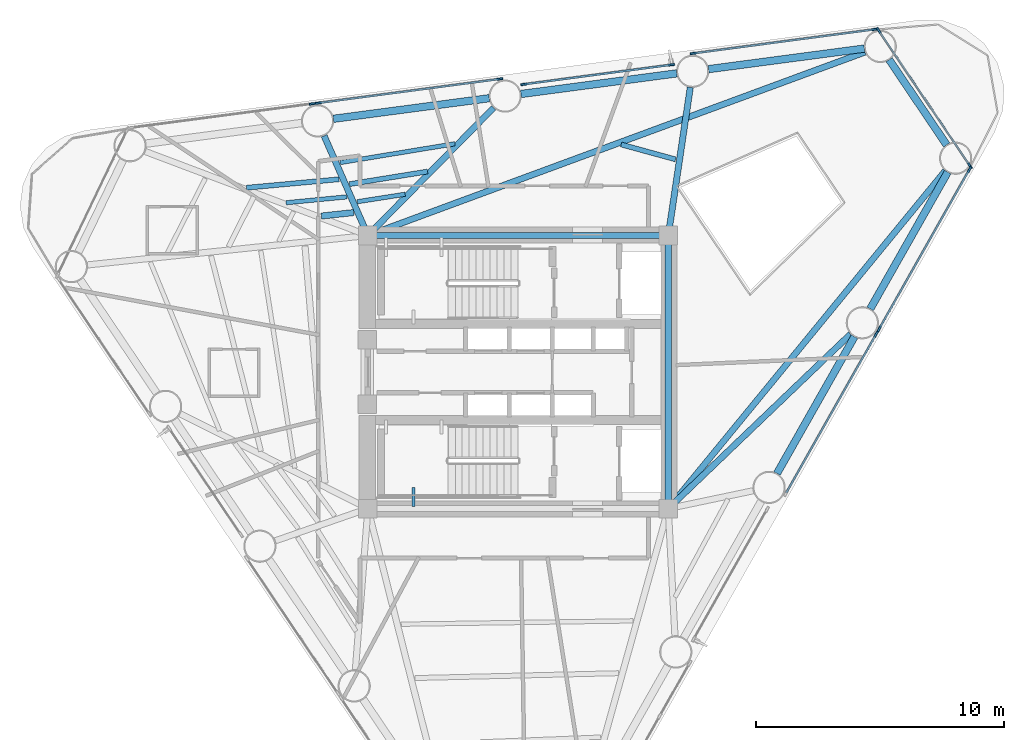
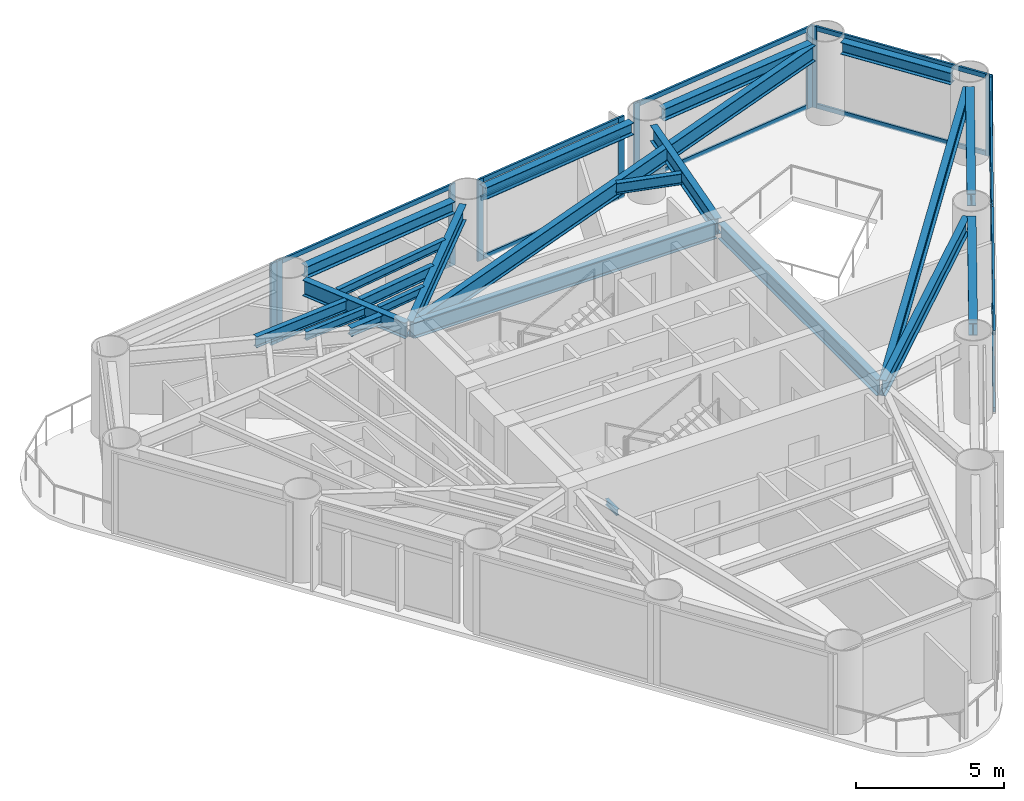
# One storey, part 3 of 9: 25 members, 22 beams, 7 elements without a shape of their own.
"""IFC4 building model written with IfcOpenShell, lengths in metres."""

from ifc_helpers import new_model, si_unit, direction, frame, origin, origin_2d, place, context, subcontext, project, spatial, rectangle, i_section, extrude, source, transform, mapped, material, layer, layer_set, material_profile, profile_set, type_object, element, aggregate, save


model = new_model("IFC4")

# Units and contexts
model_context = context("Model", 3, precision=1e-05, world=origin(), true_north=direction((0.0, 1.0)))
body_context = subcontext(model_context, "Body", "Model", "MODEL_VIEW")
ifc_project = project(units=[si_unit("LENGTHUNIT", "METRE"), si_unit("AREAUNIT", "SQUARE_METRE"), si_unit("VOLUMEUNIT", "CUBIC_METRE"), si_unit("PLANEANGLEUNIT", "RADIAN"), si_unit("MASSUNIT", "GRAM", prefix="KILO")], contexts=[model_context])

# Site, building, storey
site_placement = place(None, origin())
site = spatial("IfcSite", under=ifc_project, at=site_placement, CompositionType="ELEMENT")
building_placement = place(site_placement, origin())
building = spatial("IfcBuilding", under=site, at=building_placement, Name="Yunling Apex Tower", CompositionType="ELEMENT")
storey_placement = place(building_placement, frame((0.0, 0.0, 162.199951171875)))
storey = spatial("IfcBuildingStorey", under=building, at=storey_placement, Name="L39", CompositionType="ELEMENT", Elevation=162.199951171875)

# Beams
ifc_material_1 = material(Name="Steel Q355B", Category="steel")
ifc_material_profile_1 = material_profile(ifc_material_1, i_section(OverallWidth=0.125, OverallDepth=0.25, WebThickness=0.006103515625, FlangeThickness=0.009033203125, FilletRadius=0.011962890625, at=origin_2d()))
ifc_profile_set_1 = profile_set([ifc_material_profile_1], Name="Steel Q355B")
beam_type_1 = type_object("IfcBeamType", Name="BL-LNT-1", PredefinedType="LINTEL", material=ifc_profile_set_1)
shared_shape_1 = source(origin(), body_context, "Body", "SweptSolid", [
    extrude(i_section(OverallWidth=0.125, OverallDepth=0.25, WebThickness=0.006103515625, FlangeThickness=0.009033203125, FilletRadius=0.011962890625, at=origin_2d()), origin(), (0.0, 0.0, 1.0), 0.760009765625),
])
beam_1_placement = place(storey_placement, frame((-4.205078125, -5.419921875, 1.405029296875), z_axis=(0.0, 1.0, 0.0), x_axis=(-1.0, 0.0, 0.0)))
element("IfcBeam", 1, at=beam_1_placement, inside=storey, type_object=beam_type_1, Name="L39 ST-2 Landing Bearing Corbel 1-3", PredefinedType="LINTEL", context=body_context, shape_type="MappedRepresentation", body=[
    mapped(shared_shape_1, transform((0.0, 0.0, 0.0), scale=1.0)),
])
ifc_material_profile_2 = material_profile(ifc_material_1, i_section(OverallWidth=0.25, OverallDepth=0.64990234375, WebThickness=0.011962890625, FlangeThickness=0.02001953125, FilletRadius=0.02392578125, at=origin_2d()))
ifc_profile_set_2 = profile_set([ifc_material_profile_2], Name="Steel Q355B")
beam_type_2 = type_object("IfcBeamType", Name="BG-PRI-4", PredefinedType="USERDEFINED", material=ifc_profile_set_2)
shared_shape_2 = source(origin(), body_context, "Body", "SweptSolid", [
    extrude(i_section(OverallWidth=0.25, OverallDepth=0.64990234375, WebThickness=0.011962890625, FlangeThickness=0.02001953125, FilletRadius=0.02392578125, at=origin_2d()), origin(), (0.0, 0.0, 1.0), 11.7998046875),
])
beam_2_placement = place(storey_placement, frame((5.89990234375, 5.5, 2.945068359375), z_axis=(-1.0, 0.0, 0.0), x_axis=(0.0, -1.0, 0.0)))
element("IfcBeam", 2, at=beam_2_placement, inside=storey, type_object=beam_type_2, Name="L39 Core Ring Tie Beam 3", ObjectType="GIRDER", PredefinedType="USERDEFINED", context=body_context, shape_type="MappedRepresentation", body=[
    mapped(shared_shape_2, transform((0.0, 0.0, 0.0), scale=1.0)),
])
shared_shape_3 = source(origin(), body_context, "Body", "SweptSolid", [
    extrude(i_section(OverallWidth=0.25, OverallDepth=0.64990234375, WebThickness=0.011962890625, FlangeThickness=0.02001953125, FilletRadius=0.02392578125, at=origin_2d()), origin(), (0.0, 0.0, 1.0), 10.7001953125),
])
beam_3_placement = place(storey_placement, frame((6.050048828125, -5.35009765625, 2.945068359375), z_axis=(0.0, 1.0, 0.0), x_axis=(-1.0, 0.0, 0.0)))
element("IfcBeam", 3, at=beam_3_placement, inside=storey, type_object=beam_type_2, Name="L39 Core Ring Tie Beam 2", ObjectType="GIRDER", PredefinedType="USERDEFINED", context=body_context, shape_type="MappedRepresentation", body=[
    mapped(shared_shape_3, transform((0.0, 0.0, 0.0), scale=1.0)),
])
ifc_material_profile_3 = material_profile(ifc_material_1, i_section(OverallWidth=0.300048828125, OverallDepth=0.489990234375, WebThickness=0.010986328125, FlangeThickness=0.01806640625, FilletRadius=0.02197265625, at=origin_2d()))
ifc_profile_set_3 = profile_set([ifc_material_profile_3], Name="Steel Q355B")
beam_type_3 = type_object("IfcBeamType", Name="BP-SPN-2", PredefinedType="SPANDREL", material=ifc_profile_set_3)
shared_shape_4 = source(origin(), body_context, "Body", "SweptSolid", [
    extrude(i_section(OverallWidth=0.300048828125, OverallDepth=0.489990234375, WebThickness=0.010986328125, FlangeThickness=0.01806640625, FilletRadius=0.02197265625, at=origin_2d()), origin(), (0.0, 0.0, 1.0), 6.332763671875),
])
beam_4_placement = place(storey_placement, frame((10.426513671875, -4.087646484375, 3.025146484375), z_axis=(0.493042725972, 0.870005097897, 0.0), x_axis=(-0.870005097897, 0.493042725972, 0.0)))
element("IfcBeam", 4, at=beam_4_placement, inside=storey, type_object=beam_type_3, Name="L39 Perimeter Spandrel Beam 3", PredefinedType="SPANDREL", context=body_context, shape_type="MappedRepresentation", body=[
    mapped(shared_shape_4, transform((0.0, 0.0, 0.0), scale=1.0)),
])
shared_shape_5 = source(origin(), body_context, "Body", "SweptSolid", [
    extrude(i_section(OverallWidth=0.300048828125, OverallDepth=0.489990234375, WebThickness=0.010986328125, FlangeThickness=0.01806640625, FilletRadius=0.02197265625, at=origin_2d()), origin(), (0.0, 0.0, 1.0), 6.33251953125),
])
for number, where, z_axis, x_axis, name in (
    (5, (14.183837890625, 2.54248046875, 3.025146484375), (0.493030081742, 0.870012263418, 0.0), (-0.870012263418, 0.493030081742, 0.0), "L39 Perimeter Spandrel Beam 4"),
    (6, (13.948486328125, 13.029541015625, 3.025146484375), (-0.991351373324, -0.131234349957, 0.0), (0.131234349957, -0.991351373324, 0.0), "L39 Perimeter Spandrel Beam 6"),
    (7, (6.393798828125, 12.029541015625, 3.025146484375), (-0.991351373324, -0.131234349957, 0.0), (0.131234349957, -0.991351373324, 0.0), "L39 Perimeter Spandrel Beam 7"),
    (8, (-1.160888671875, 11.029541015625, 3.025146484375), (-0.991356388343, -0.131196460665, 0.0), (0.131196460665, -0.991356388343, 0.0), "L39 Perimeter Spandrel Beam 8"),
):
    element("IfcBeam", number, at=place(storey_placement, frame(where, z_axis=z_axis, x_axis=x_axis)), inside=storey, type_object=beam_type_3, Name=name, PredefinedType="SPANDREL", context=body_context, shape_type="MappedRepresentation", body=[
        mapped(shared_shape_5, transform((0.0, 0.0, 0.0), scale=1.0)),
    ])
shared_shape_6 = source(origin(), body_context, "Body", "SweptSolid", [
    extrude(i_section(OverallWidth=0.300048828125, OverallDepth=0.489990234375, WebThickness=0.010986328125, FlangeThickness=0.01806640625, FilletRadius=0.02197265625, at=origin_2d()), origin(), (0.0, 0.0, 1.0), 4.142333984375),
])
beam_5_placement = place(storey_placement, frame((17.263427734375, 9.14599609375, 3.025146484375), z_axis=(-0.559207616177, 0.829027648519, 0.0), x_axis=(-0.829027648519, -0.559207616177, 0.0)))
element("IfcBeam", 9, at=beam_5_placement, inside=storey, type_object=beam_type_3, Name="L39 Perimeter Spandrel Beam 5", PredefinedType="SPANDREL", context=body_context, shape_type="MappedRepresentation", body=[
    mapped(shared_shape_6, transform((0.0, 0.0, 0.0), scale=1.0)),
])
shared_shape_7 = source(origin(), body_context, "Body", "SweptSolid", [
    extrude(i_section(OverallWidth=0.25, OverallDepth=0.64990234375, WebThickness=0.011962890625, FlangeThickness=0.02001953125, FilletRadius=0.02392578125, at=origin_2d()), origin(), (0.0, 0.0, 1.0), 10.08203125),
])
beam_6_placement = place(storey_placement, frame((13.39111328125, 1.527099609375, 2.945068359375), z_axis=(-0.722387273854, -0.691488703143, 0.0), x_axis=(0.691488703143, -0.722387273854, 0.0)))
element("IfcBeam", 10, at=beam_6_placement, inside=storey, type_object=beam_type_2, Name="L39 Radial Primary Girder R04", ObjectType="GIRDER", PredefinedType="USERDEFINED", context=body_context, shape_type="MappedRepresentation", body=[
    mapped(shared_shape_7, transform((0.0, 0.0, 0.0), scale=1.0)),
])
shared_shape_8 = source(origin(), body_context, "Body", "SweptSolid", [
    extrude(i_section(OverallWidth=0.25, OverallDepth=0.64990234375, WebThickness=0.011962890625, FlangeThickness=0.02001953125, FilletRadius=0.02392578125, at=origin_2d()), origin(), (0.0, 0.0, 1.0), 17.512939453125),
])
beam_7_placement = place(storey_placement, frame((17.206298828125, 8.103271484375, 2.945068359375), z_axis=(-0.634143770781, -0.773215156331, 0.0), x_axis=(0.773215156331, -0.634143770781, 0.0)))
element("IfcBeam", 11, at=beam_7_placement, inside=storey, type_object=beam_type_2, Name="L39 Radial Primary Girder R05", ObjectType="GIRDER", PredefinedType="USERDEFINED", context=body_context, shape_type="MappedRepresentation", body=[
    mapped(shared_shape_8, transform((0.0, 0.0, 0.0), scale=1.0)),
])
shared_shape_9 = source(origin(), body_context, "Body", "SweptSolid", [
    extrude(i_section(OverallWidth=0.25, OverallDepth=0.64990234375, WebThickness=0.011962890625, FlangeThickness=0.02001953125, FilletRadius=0.02392578125, at=origin_2d()), origin(), (0.0, 0.0, 1.0), 21.258544921875),
])
beam_8_placement = place(storey_placement, frame((13.969482421875, 12.88623046875, 2.945068359375), z_axis=(-0.938179289615, -0.346149708274, 0.0), x_axis=(0.346149708274, -0.938179289615, 0.0)))
element("IfcBeam", 12, at=beam_8_placement, inside=storey, type_object=beam_type_2, Name="L39 Radial Primary Girder R06", ObjectType="GIRDER", PredefinedType="USERDEFINED", context=body_context, shape_type="MappedRepresentation", body=[
    mapped(shared_shape_9, transform((0.0, 0.0, 0.0), scale=1.0)),
])
shared_shape_10 = source(origin(), body_context, "Body", "SweptSolid", [
    extrude(i_section(OverallWidth=0.25, OverallDepth=0.64990234375, WebThickness=0.011962890625, FlangeThickness=0.02001953125, FilletRadius=0.02392578125, at=origin_2d()), origin(), (0.0, 0.0, 1.0), 5.948486328125),
])
beam_9_placement = place(storey_placement, frame((6.935546875, 11.463134765625, 2.945068359375), z_axis=(-0.146889273353, -0.989152941346, 0.0), x_axis=(0.989152941346, -0.146889273353, 0.0)))
element("IfcBeam", 13, at=beam_9_placement, inside=storey, type_object=beam_type_2, Name="L39 Radial Primary Girder R07", ObjectType="GIRDER", PredefinedType="USERDEFINED", context=body_context, shape_type="MappedRepresentation", body=[
    mapped(shared_shape_10, transform((0.0, 0.0, 0.0), scale=1.0)),
])
shared_shape_11 = source(origin(), body_context, "Body", "SweptSolid", [
    extrude(i_section(OverallWidth=0.25, OverallDepth=0.64990234375, WebThickness=0.011962890625, FlangeThickness=0.02001953125, FilletRadius=0.02392578125, at=origin_2d()), origin(), (0.0, 0.0, 1.0), 7.140625),
])
beam_10_placement = place(storey_placement, frame((-0.984130859375, 10.645263671875, 2.945068359375), z_axis=(-0.701580749748, -0.712589960344, 0.0), x_axis=(0.712589960344, -0.701580749748, 0.0)))
element("IfcBeam", 14, at=beam_10_placement, inside=storey, type_object=beam_type_2, Name="L39 Radial Primary Girder R08", ObjectType="GIRDER", PredefinedType="USERDEFINED", context=body_context, shape_type="MappedRepresentation", body=[
    mapped(shared_shape_11, transform((0.0, 0.0, 0.0), scale=1.0)),
])
shared_shape_12 = source(origin(), body_context, "Body", "SweptSolid", [
    extrude(i_section(OverallWidth=0.25, OverallDepth=0.64990234375, WebThickness=0.011962890625, FlangeThickness=0.02001953125, FilletRadius=0.02392578125, at=origin_2d()), origin(), (0.0, 0.0, 1.0), 4.3017578125),
])
beam_11_placement = place(storey_placement, frame((-7.8125, 9.51171875, 2.945068359375), z_axis=(0.402211714237, -0.915546687466, 0.0), x_axis=(0.915546687466, 0.402211714237, 0.0)))
element("IfcBeam", 15, at=beam_11_placement, inside=storey, type_object=beam_type_2, Name="L39 Radial Primary Girder R09", ObjectType="GIRDER", PredefinedType="USERDEFINED", context=body_context, shape_type="MappedRepresentation", body=[
    mapped(shared_shape_12, transform((0.0, 0.0, 0.0), scale=1.0)),
])
ifc_material_profile_4 = material_profile(ifc_material_1, i_section(OverallWidth=0.199951171875, OverallDepth=0.449951171875, WebThickness=0.009033203125, FlangeThickness=0.013916015625, FilletRadius=0.01806640625, at=origin_2d()))
ifc_profile_set_4 = profile_set([ifc_material_profile_4], Name="Steel Q355B")
beam_type_4 = type_object("IfcBeamType", Name="BS-SEC-3", PredefinedType="BEAM", material=ifc_profile_set_4)
shared_shape_13 = source(origin(), body_context, "Body", "SweptSolid", [
    extrude(i_section(OverallWidth=0.199951171875, OverallDepth=0.449951171875, WebThickness=0.009033203125, FlangeThickness=0.013916015625, FilletRadius=0.01806640625, at=origin_2d()), origin(), (0.0, 0.0, 1.0), 2.2734375),
])
beam_12_placement = place(storey_placement, frame((4.151611328125, 9.16455078125, 3.045166015625), z_axis=(0.964418538673, -0.264380185081, 0.0), x_axis=(0.264380185081, 0.964418538673, 0.0)))
element("IfcBeam", 16, at=beam_12_placement, inside=storey, type_object=beam_type_4, Name="L39 Composite Floor Beam BS-6", PredefinedType="BEAM", context=body_context, shape_type="MappedRepresentation", body=[
    mapped(shared_shape_13, transform((0.0, 0.0, 0.0), scale=1.0)),
])
shared_shape_14 = source(origin(), body_context, "Body", "SweptSolid", [
    extrude(i_section(OverallWidth=0.199951171875, OverallDepth=0.449951171875, WebThickness=0.009033203125, FlangeThickness=0.013916015625, FilletRadius=0.01806640625, at=origin_2d()), origin(), (0.0, 0.0, 1.0), 3.18310546875),
])
beam_13_placement = place(storey_placement, frame((-3.64697265625, 8.07568359375, 3.045166015625), z_axis=(-0.987204533881, -0.159459111642, 0.0), x_axis=(0.159459111642, -0.987204533881, 0.0)))
element("IfcBeam", 17, at=beam_13_placement, inside=storey, type_object=beam_type_4, Name="L39 Composite Floor Beam BS-8", PredefinedType="BEAM", context=body_context, shape_type="MappedRepresentation", body=[
    mapped(shared_shape_14, transform((0.0, 0.0, 0.0), scale=1.0)),
])
ifc_material_profile_5 = material_profile(ifc_material_1, i_section(OverallWidth=0.175048828125, OverallDepth=0.35009765625, WebThickness=0.007080078125, FlangeThickness=0.010986328125, FilletRadius=0.013916015625, at=origin_2d()))
ifc_profile_set_5 = profile_set([ifc_material_profile_5], Name="Steel Q355B")
beam_type_5 = type_object("IfcBeamType", Name="BJ-JST-1", PredefinedType="JOIST", material=ifc_profile_set_5)
shared_shape_15 = source(origin(), body_context, "Body", "SweptSolid", [
    extrude(i_section(OverallWidth=0.175048828125, OverallDepth=0.35009765625, WebThickness=0.007080078125, FlangeThickness=0.010986328125, FilletRadius=0.013916015625, at=origin_2d()), origin(), (0.0, 0.0, 1.0), 4.6875),
])
beam_14_placement = place(storey_placement, frame((-2.544677734375, 9.194580078125, 3.094970703125), z_axis=(-0.986776909696, -0.162084331414, 0.0), x_axis=(0.162084331414, -0.986776909696, 0.0)))
element("IfcBeam", 18, at=beam_14_placement, inside=storey, type_object=beam_type_5, Name="L39 Composite Floor Joist BJ1-8", PredefinedType="JOIST", context=body_context, shape_type="MappedRepresentation", body=[
    mapped(shared_shape_15, transform((0.0, 0.0, 0.0), scale=1.0)),
])
shared_shape_16 = source(origin(), body_context, "Body", "SweptSolid", [
    extrude(i_section(OverallWidth=0.175048828125, OverallDepth=0.35009765625, WebThickness=0.007080078125, FlangeThickness=0.010986328125, FilletRadius=0.013916015625, at=origin_2d()), origin(), (0.0, 0.0, 1.0), 1.952392578125),
])
beam_15_placement = place(storey_placement, frame((-4.548828125, 7.160400390625, 3.094970703125), z_axis=(-0.98796490296, -0.154678216044, 0.0), x_axis=(0.154678216044, -0.98796490296, 0.0)))
element("IfcBeam", 19, at=beam_15_placement, inside=storey, type_object=beam_type_5, Name="L39 Composite Floor Joist BJ3-8", PredefinedType="JOIST", context=body_context, shape_type="MappedRepresentation", body=[
    mapped(shared_shape_16, transform((0.0, 0.0, 0.0), scale=1.0)),
])
shared_shape_17 = source(origin(), body_context, "Body", "SweptSolid", [
    extrude(i_section(OverallWidth=0.199951171875, OverallDepth=0.449951171875, WebThickness=0.009033203125, FlangeThickness=0.013916015625, FilletRadius=0.01806640625, at=origin_2d()), origin(), (0.0, 0.0, 1.0), 3.749755859375),
])
beam_16_placement = place(storey_placement, frame((-7.21044921875, 7.76416015625, 3.045166015625), z_axis=(-0.995801444966, -0.091539511711, 0.0), x_axis=(0.091539511711, -0.995801444966, 0.0)))
element("IfcBeam", 20, at=beam_16_placement, inside=storey, type_object=beam_type_4, Name="L39 Composite Floor Beam BS-9", PredefinedType="BEAM", context=body_context, shape_type="MappedRepresentation", body=[
    mapped(shared_shape_17, transform((0.0, 0.0, 0.0), scale=1.0)),
])
shared_shape_18 = source(origin(), body_context, "Body", "SweptSolid", [
    extrude(i_section(OverallWidth=0.175048828125, OverallDepth=0.35009765625, WebThickness=0.007080078125, FlangeThickness=0.010986328125, FilletRadius=0.013916015625, at=origin_2d()), origin(), (0.0, 0.0, 1.0), 2.456787109375),
])
beam_17_placement = place(storey_placement, frame((-6.89892578125, 7.054443359375, 3.094970703125), z_axis=(-0.995362299538, -0.096197155147, 0.0), x_axis=(0.096197155147, -0.995362299538, 0.0)))
element("IfcBeam", 21, at=beam_17_placement, inside=storey, type_object=beam_type_5, Name="L39 Composite Floor Joist BJ3-9", PredefinedType="JOIST", context=body_context, shape_type="MappedRepresentation", body=[
    mapped(shared_shape_18, transform((0.0, 0.0, 0.0), scale=1.0)),
])
ifc_material_profile_6 = material_profile(ifc_material_1, i_section(OverallWidth=0.25, OverallDepth=0.340087890625, WebThickness=0.009033203125, FlangeThickness=0.013916015625, FilletRadius=0.01806640625, at=origin_2d()))
ifc_profile_set_6 = profile_set([ifc_material_profile_6], Name="Steel Q355B")
beam_type_6 = type_object("IfcBeamType", Name="BJ-JST-2", PredefinedType="JOIST", material=ifc_profile_set_6)
shared_shape_19 = source(origin(), body_context, "Body", "SweptSolid", [
    extrude(i_section(OverallWidth=0.25, OverallDepth=0.340087890625, WebThickness=0.009033203125, FlangeThickness=0.013916015625, FilletRadius=0.01806640625, at=origin_2d()), origin(), (0.0, 0.0, 1.0), 1.307373046875),
])
beam_18_placement = place(storey_placement, frame((-6.6220703125, 6.422607421875, 3.10009765625), z_axis=(-0.994297843948, -0.106638630521, 0.0), x_axis=(0.106638630521, -0.994297843948, 0.0)))
element("IfcBeam", 22, at=beam_18_placement, inside=storey, type_object=beam_type_6, Name="L39 Composite Floor Joist BJ2-9", PredefinedType="JOIST", context=body_context, shape_type="MappedRepresentation", body=[
    mapped(shared_shape_19, transform((0.0, 0.0, 0.0), scale=1.0)),
])

# Curtain wall, member
ifc_material_2 = material(Name="Bronze anodised aluminium", Category="aluminium")
ifc_layer = layer(ifc_material_2, 0.239990234375)
ifc_layer_set = layer_set([ifc_layer], Name="Bronze anodised aluminium")
curtain_wall_type = type_object("IfcCurtainWallType", Name="CW-SYS-3", PredefinedType="NOTDEFINED", material=ifc_layer_set)
curtain_wall_1_placement = place(storey_placement, origin())
curtain_wall_1 = element("IfcCurtainWall", 23, at=curtain_wall_1_placement, inside=storey, type_object=curtain_wall_type, Name="CW-L39-F1-B3", PredefinedType="NOTDEFINED")
ifc_material_profile_7 = material_profile(ifc_material_2, rectangle(XDim=0.080078125, YDim=0.239990234375, at=origin_2d()))
ifc_profile_set_7 = profile_set([ifc_material_profile_7], Name="Bronze anodised aluminium")
member_type_1 = type_object("IfcMemberType", Name="CW-MUL-3", PredefinedType="MULLION", material=ifc_profile_set_7)
shared_shape_20 = source(origin(), body_context, "Body", "SweptSolid", [
    extrude(rectangle(XDim=0.080078125, YDim=0.239990234375, at=origin_2d()), origin(), (0.0, 0.0, 1.0), 3.3701171875),
])
member_1_placement = place(storey_placement, frame((14.4248046875, 1.527587890625, -0.050048828125), z_axis=(0.0, 0.0, 1.0), x_axis=(-0.870009345679, 0.493035230416, 0.0)))
member_1 = element("IfcMember", 24, at=member_1_placement, type_object=member_type_1, Name="CW-SYS-3 mullion 2", PredefinedType="MULLION", context=body_context, shape_type="MappedRepresentation", body=[
    mapped(shared_shape_20, transform((0.0, 0.0, 0.0), scale=1.0)),
])

# Curtain wall, members
curtain_wall_2_placement = place(storey_placement, origin())
curtain_wall_2 = element("IfcCurtainWall", 25, at=curtain_wall_2_placement, inside=storey, type_object=curtain_wall_type, Name="CW-L39-F1-B4", PredefinedType="NOTDEFINED")
member_2_placement = place(storey_placement, frame((14.543212890625, 1.736572265625, -0.050048828125), z_axis=(0.0, 0.0, 1.0), x_axis=(-0.870006087438, 0.493040979859, 0.0)))
member_2 = element("IfcMember", 26, at=member_2_placement, type_object=member_type_1, Name="CW-SYS-3 mullion 1", PredefinedType="MULLION", context=body_context, shape_type="MappedRepresentation", body=[
    mapped(shared_shape_20, transform((0.0, 0.0, 0.0), scale=1.0)),
])
member_3_placement = place(storey_placement, frame((18.18212890625, 8.15771484375, -0.050048828125), z_axis=(0.0, 0.0, 1.0), x_axis=(-0.870006087438, 0.493040979859, 0.0)))
member_3 = element("IfcMember", 27, at=member_3_placement, type_object=member_type_1, Name="CW-SYS-3 mullion 2", PredefinedType="MULLION", context=body_context, shape_type="MappedRepresentation", body=[
    mapped(shared_shape_20, transform((0.0, 0.0, 0.0), scale=1.0)),
])

curtain_wall_3_placement = place(storey_placement, origin())
curtain_wall_3 = element("IfcCurtainWall", 28, at=curtain_wall_3_placement, inside=storey, type_object=curtain_wall_type, Name="CW-L39-CRN1", PredefinedType="NOTDEFINED")
member_4_placement = place(storey_placement, frame((18.201416015625, 8.30517578125, -0.050048828125), z_axis=(0.0, 0.0, 1.0), x_axis=(-0.829037677921, -0.559192747259, 0.0)))
member_4 = element("IfcMember", 29, at=member_4_placement, type_object=member_type_1, Name="CW-SYS-3 mullion 1", PredefinedType="MULLION", context=body_context, shape_type="MappedRepresentation", body=[
    mapped(shared_shape_20, transform((0.0, 0.0, 0.0), scale=1.0)),
])
member_5_placement = place(storey_placement, frame((14.518798828125, 13.764892578125, -0.050048828125), z_axis=(0.0, 0.0, 1.0), x_axis=(-0.829037677921, -0.559192747259, 0.0)))
member_5 = element("IfcMember", 30, at=member_5_placement, type_object=member_type_1, Name="CW-SYS-3 mullion 2", PredefinedType="MULLION", context=body_context, shape_type="MappedRepresentation", body=[
    mapped(shared_shape_20, transform((0.0, 0.0, 0.0), scale=1.0)),
])

curtain_wall_4_placement = place(storey_placement, origin())
curtain_wall_4 = element("IfcCurtainWall", 31, at=curtain_wall_4_placement, inside=storey, type_object=curtain_wall_type, Name="CW-L39-F2-B1", PredefinedType="NOTDEFINED")
member_6_placement = place(storey_placement, frame((14.374755859375, 13.80224609375, -0.050048828125), z_axis=(0.0, 0.0, 1.0), x_axis=(0.131222473138, -0.991352945496, 0.0)))
member_6 = element("IfcMember", 32, at=member_6_placement, type_object=member_type_1, Name="CW-SYS-3 mullion 1", PredefinedType="MULLION", context=body_context, shape_type="MappedRepresentation", body=[
    mapped(shared_shape_20, transform((0.0, 0.0, 0.0), scale=1.0)),
])
member_7_placement = place(storey_placement, frame((7.05810546875, 12.833740234375, -0.050048828125), z_axis=(0.0, 0.0, 1.0), x_axis=(0.131222473138, -0.991352945496, 0.0)))
member_7 = element("IfcMember", 33, at=member_7_placement, type_object=member_type_1, Name="CW-SYS-3 mullion 2", PredefinedType="MULLION", context=body_context, shape_type="MappedRepresentation", body=[
    mapped(shared_shape_20, transform((0.0, 0.0, 0.0), scale=1.0)),
])

curtain_wall_5_placement = place(storey_placement, origin())
curtain_wall_5 = element("IfcCurtainWall", 34, at=curtain_wall_5_placement, inside=storey, type_object=curtain_wall_type, Name="CW-L39-F2-B2", PredefinedType="NOTDEFINED")
member_8_placement = place(storey_placement, frame((6.1806640625, 12.37451171875, -0.050048828125), z_axis=(0.0, 0.0, 1.0), x_axis=(0.131204916036, -0.99135526932, 0.0)))
member_8 = element("IfcMember", 35, at=member_8_placement, type_object=member_type_1, Name="CW-SYS-3 mullion 1", PredefinedType="MULLION", context=body_context, shape_type="MappedRepresentation", body=[
    mapped(shared_shape_20, transform((0.0, 0.0, 0.0), scale=1.0)),
])
member_9_placement = place(storey_placement, frame((0.23193359375, 11.587158203125, -0.050048828125), z_axis=(0.0, 0.0, 1.0), x_axis=(0.131204916036, -0.99135526932, 0.0)))
member_9 = element("IfcMember", 36, at=member_9_placement, type_object=member_type_1, Name="CW-SYS-3 mullion 2", PredefinedType="MULLION", context=body_context, shape_type="MappedRepresentation", body=[
    mapped(shared_shape_20, transform((0.0, 0.0, 0.0), scale=1.0)),
])

curtain_wall_6_placement = place(storey_placement, origin())
curtain_wall_6 = element("IfcCurtainWall", 37, at=curtain_wall_6_placement, inside=storey, type_object=curtain_wall_type, Name="CW-L39-F2-B3", PredefinedType="NOTDEFINED")
member_10_placement = place(storey_placement, frame((-0.734619140625, 11.80224609375, -0.050048828125), z_axis=(0.0, 0.0, 1.0), x_axis=(0.13120930019, -0.991354689071, 0.0)))
member_10 = element("IfcMember", 38, at=member_10_placement, type_object=member_type_1, Name="CW-SYS-3 mullion 1", PredefinedType="MULLION", context=body_context, shape_type="MappedRepresentation", body=[
    mapped(shared_shape_20, transform((0.0, 0.0, 0.0), scale=1.0)),
])
member_11_placement = place(storey_placement, frame((-8.05126953125, 10.833740234375, -0.050048828125), z_axis=(0.0, 0.0, 1.0), x_axis=(0.13120930019, -0.991354689071, 0.0)))
member_11 = element("IfcMember", 39, at=member_11_placement, type_object=member_type_1, Name="CW-SYS-3 mullion 2", PredefinedType="MULLION", context=body_context, shape_type="MappedRepresentation", body=[
    mapped(shared_shape_20, transform((0.0, 0.0, 0.0), scale=1.0)),
])

# Curtain wall, member
curtain_wall_7_placement = place(storey_placement, origin())
curtain_wall_7 = element("IfcCurtainWall", 40, at=curtain_wall_7_placement, inside=storey, type_object=curtain_wall_type, Name="CW-L39-F2-B4", PredefinedType="NOTDEFINED")
member_12_placement = place(storey_placement, frame((-8.289306640625, 10.80224609375, -0.050048828125), z_axis=(0.0, 0.0, 1.0), x_axis=(0.131222473138, -0.991352945496, 0.0)))
member_12 = element("IfcMember", 41, at=member_12_placement, type_object=member_type_1, Name="CW-SYS-3 mullion 1", PredefinedType="MULLION", context=body_context, shape_type="MappedRepresentation", body=[
    mapped(shared_shape_20, transform((0.0, 0.0, 0.0), scale=1.0)),
])
aggregate(curtain_wall_7, [member_12])

# Member
ifc_material_profile_8 = material_profile(ifc_material_2, rectangle(XDim=0.080078125, YDim=0.18505859375, at=origin_2d()))
ifc_profile_set_8 = profile_set([ifc_material_profile_8], Name="Bronze anodised aluminium")
member_type_2 = type_object("IfcMemberType", Name="CW-TRN-3", PredefinedType="USERDEFINED", material=ifc_profile_set_8)
shared_shape_21 = source(origin(), body_context, "Body", "SweptSolid", [
    extrude(rectangle(XDim=0.080078125, YDim=0.18505859375, at=origin_2d()), origin(), (0.0, 0.0, 1.0), 5.9287109375),
])
member_13_placement = place(storey_placement, frame((6.14501953125, 12.369873046875, 0.0400390625), z_axis=(-0.991356183804, -0.131198006214, 0.0), x_axis=(0.131198006214, -0.991356183804, 0.0)))
member_13 = element("IfcMember", 42, at=member_13_placement, type_object=member_type_2, Name="CW-SYS-3 transom 1.1", ObjectType="TRANSOM", PredefinedType="USERDEFINED", context=body_context, shape_type="MappedRepresentation", body=[
    mapped(shared_shape_21, transform((0.0, 0.0, 0.0), scale=1.0)),
])

member_14_placement = place(storey_placement, frame((6.14501953125, 12.369873046875, 2.4853515625), z_axis=(-0.991356183804, -0.131198006214, 0.0), x_axis=(0.131198006214, -0.991356183804, 0.0)))
member_14 = element("IfcMember", 43, at=member_14_placement, type_object=member_type_2, Name="CW-SYS-3 transom 1.2", ObjectType="TRANSOM", PredefinedType="USERDEFINED", context=body_context, shape_type="MappedRepresentation", body=[
    mapped(shared_shape_21, transform((0.0, 0.0, 0.0), scale=1.0)),
])

member_15_placement = place(storey_placement, frame((6.14501953125, 12.369873046875, 3.22998046875), z_axis=(-0.991356183804, -0.131198006214, 0.0), x_axis=(0.131198006214, -0.991356183804, 0.0)))
member_15 = element("IfcMember", 44, at=member_15_placement, type_object=member_type_2, Name="CW-SYS-3 transom 1.3", ObjectType="TRANSOM", PredefinedType="USERDEFINED", context=body_context, shape_type="MappedRepresentation", body=[
    mapped(shared_shape_21, transform((0.0, 0.0, 0.0), scale=1.0)),
])

aggregate(curtain_wall_5, [member_8, member_9, member_13, member_14, member_15])

shared_shape_22 = source(origin(), body_context, "Body", "SweptSolid", [
    extrude(rectangle(XDim=0.080078125, YDim=0.18505859375, at=origin_2d()), origin(), (0.0, 0.0, 1.0), 7.308837890625),
])
member_16_placement = place(storey_placement, frame((10.8037109375, -4.8623046875, 0.0400390625), z_axis=(0.493042070546, 0.870005469334, 0.0), x_axis=(-0.870005469334, 0.493042070546, 0.0)))
member_16 = element("IfcMember", 45, at=member_16_placement, type_object=member_type_2, Name="CW-SYS-3 transom 1.1", ObjectType="TRANSOM", PredefinedType="USERDEFINED", context=body_context, shape_type="MappedRepresentation", body=[
    mapped(shared_shape_22, transform((0.0, 0.0, 0.0), scale=1.0)),
])

member_17_placement = place(storey_placement, frame((10.8037109375, -4.8623046875, 3.22998046875), z_axis=(0.493042070546, 0.870005469334, 0.0), x_axis=(-0.870005469334, 0.493042070546, 0.0)))
member_17 = element("IfcMember", 46, at=member_17_placement, type_object=member_type_2, Name="CW-SYS-3 transom 1.2", ObjectType="TRANSOM", PredefinedType="USERDEFINED", context=body_context, shape_type="MappedRepresentation", body=[
    mapped(shared_shape_22, transform((0.0, 0.0, 0.0), scale=1.0)),
])

aggregate(curtain_wall_1, [member_1, member_16, member_17])

member_18_placement = place(storey_placement, frame((14.560791015625, 1.767822265625, 0.0400390625), z_axis=(0.493042070546, 0.870005469334, 0.0), x_axis=(-0.870005469334, 0.493042070546, 0.0)))
member_18 = element("IfcMember", 47, at=member_18_placement, type_object=member_type_2, Name="CW-SYS-3 transom 1.1", ObjectType="TRANSOM", PredefinedType="USERDEFINED", context=body_context, shape_type="MappedRepresentation", body=[
    mapped(shared_shape_22, transform((0.0, 0.0, 0.0), scale=1.0)),
])

member_19_placement = place(storey_placement, frame((14.560791015625, 1.767822265625, 3.22998046875), z_axis=(0.493042070546, 0.870005469334, 0.0), x_axis=(-0.870005469334, 0.493042070546, 0.0)))
member_19 = element("IfcMember", 48, at=member_19_placement, type_object=member_type_2, Name="CW-SYS-3 transom 1.2", ObjectType="TRANSOM", PredefinedType="USERDEFINED", context=body_context, shape_type="MappedRepresentation", body=[
    mapped(shared_shape_22, transform((0.0, 0.0, 0.0), scale=1.0)),
])

aggregate(curtain_wall_2, [member_2, member_3, member_18, member_19])

shared_shape_23 = source(origin(), body_context, "Body", "SweptSolid", [
    extrude(rectangle(XDim=0.080078125, YDim=0.18505859375, at=origin_2d()), origin(), (0.0, 0.0, 1.0), 6.513916015625),
])
member_20_placement = place(storey_placement, frame((18.181396484375, 8.3349609375, 0.0400390625), z_axis=(-0.559206971542, 0.829028083347, 0.0), x_axis=(-0.829028083347, -0.559206971542, 0.0)))
member_20 = element("IfcMember", 49, at=member_20_placement, type_object=member_type_2, Name="CW-SYS-3 transom 1.1", ObjectType="TRANSOM", PredefinedType="USERDEFINED", context=body_context, shape_type="MappedRepresentation", body=[
    mapped(shared_shape_23, transform((0.0, 0.0, 0.0), scale=1.0)),
])

member_21_placement = place(storey_placement, frame((18.181396484375, 8.3349609375, 3.22998046875), z_axis=(-0.559206971542, 0.829028083347, 0.0), x_axis=(-0.829028083347, -0.559206971542, 0.0)))
member_21 = element("IfcMember", 50, at=member_21_placement, type_object=member_type_2, Name="CW-SYS-3 transom 1.2", ObjectType="TRANSOM", PredefinedType="USERDEFINED", context=body_context, shape_type="MappedRepresentation", body=[
    mapped(shared_shape_23, transform((0.0, 0.0, 0.0), scale=1.0)),
])

aggregate(curtain_wall_3, [member_4, member_5, member_20, member_21])

shared_shape_24 = source(origin(), body_context, "Body", "SweptSolid", [
    extrude(rectangle(XDim=0.080078125, YDim=0.18505859375, at=origin_2d()), origin(), (0.0, 0.0, 1.0), 7.30859375),
])
member_22_placement = place(storey_placement, frame((14.339111328125, 13.79736328125, 0.0400390625), z_axis=(-0.991354063091, -0.131214029714, 0.0), x_axis=(0.131214029714, -0.991354063091, 0.0)))
member_22 = element("IfcMember", 51, at=member_22_placement, type_object=member_type_2, Name="CW-SYS-3 transom 1.1", ObjectType="TRANSOM", PredefinedType="USERDEFINED", context=body_context, shape_type="MappedRepresentation", body=[
    mapped(shared_shape_24, transform((0.0, 0.0, 0.0), scale=1.0)),
])

member_23_placement = place(storey_placement, frame((14.339111328125, 13.79736328125, 3.22998046875), z_axis=(-0.991354063091, -0.131214029714, 0.0), x_axis=(0.131214029714, -0.991354063091, 0.0)))
member_23 = element("IfcMember", 52, at=member_23_placement, type_object=member_type_2, Name="CW-SYS-3 transom 1.2", ObjectType="TRANSOM", PredefinedType="USERDEFINED", context=body_context, shape_type="MappedRepresentation", body=[
    mapped(shared_shape_24, transform((0.0, 0.0, 0.0), scale=1.0)),
])

aggregate(curtain_wall_4, [member_6, member_7, member_22, member_23])

member_24_placement = place(storey_placement, frame((-0.770263671875, 11.797607421875, 0.0400390625), z_axis=(-0.991354063091, -0.131214029714, 0.0), x_axis=(0.131214029714, -0.991354063091, 0.0)))
member_24 = element("IfcMember", 53, at=member_24_placement, type_object=member_type_2, Name="CW-SYS-3 transom 1.1", ObjectType="TRANSOM", PredefinedType="USERDEFINED", context=body_context, shape_type="MappedRepresentation", body=[
    mapped(shared_shape_24, transform((0.0, 0.0, 0.0), scale=1.0)),
])

member_25_placement = place(storey_placement, frame((-0.770263671875, 11.797607421875, 3.22998046875), z_axis=(-0.991354063091, -0.131214029714, 0.0), x_axis=(0.131214029714, -0.991354063091, 0.0)))
member_25 = element("IfcMember", 54, at=member_25_placement, type_object=member_type_2, Name="CW-SYS-3 transom 1.2", ObjectType="TRANSOM", PredefinedType="USERDEFINED", context=body_context, shape_type="MappedRepresentation", body=[
    mapped(shared_shape_24, transform((0.0, 0.0, 0.0), scale=1.0)),
])

aggregate(curtain_wall_6, [member_10, member_11, member_24, member_25])

save(model, "model.ifc")
